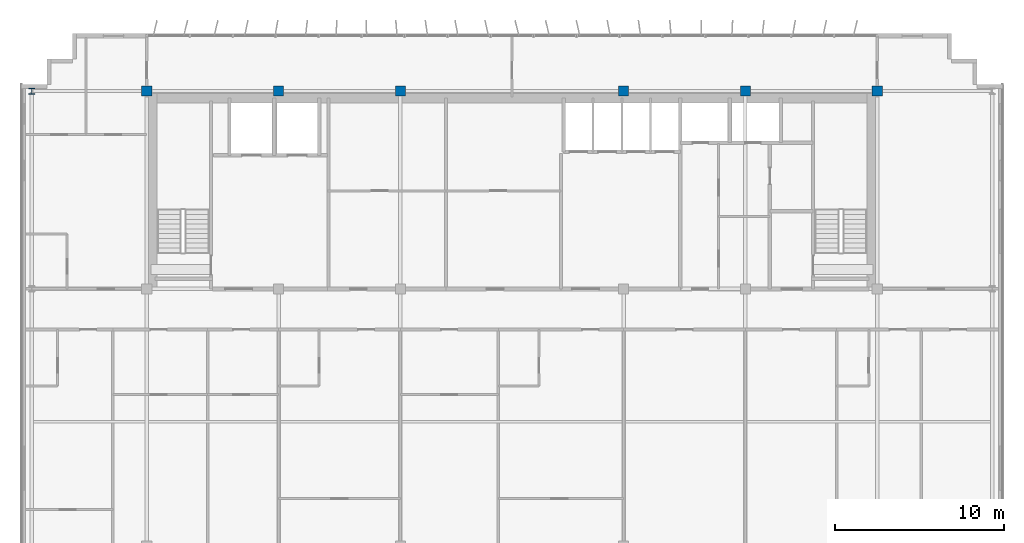
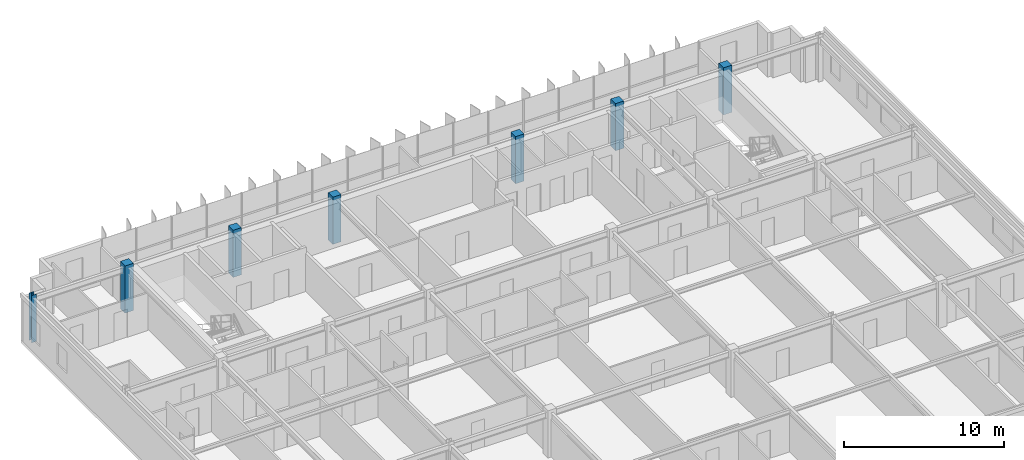
# One storey, part 3 of 23: 7 columns.
"""IFC4 building model written with IfcOpenShell, lengths in metres."""

from ifc_helpers import new_model, si_unit, direction, frame, origin, origin_2d, place, context, subcontext, project, spatial, rectangle, i_section, extrude, source, transform, mapped, material, material_profile, profile_set, type_object, element, save


model = new_model("IFC4")

# Units and contexts
model_context = context("Model", 3, precision=1e-05, world=origin(), true_north=direction((0.0, 1.0)))
body_context = subcontext(model_context, "Body", "Model", "MODEL_VIEW")
ifc_project = project(units=[si_unit("LENGTHUNIT", "METRE"), si_unit("AREAUNIT", "SQUARE_METRE"), si_unit("VOLUMEUNIT", "CUBIC_METRE"), si_unit("PLANEANGLEUNIT", "RADIAN"), si_unit("MASSUNIT", "GRAM", prefix="KILO")], contexts=[model_context])

# Site, building, storey
site_placement = place(None, origin())
site = spatial("IfcSite", under=ifc_project, at=site_placement, CompositionType="ELEMENT")
building_placement = place(site_placement, origin())
building = spatial("IfcBuilding", under=site, at=building_placement, Name="Trelvane Seafront Commons", CompositionType="ELEMENT")
storey_placement = place(building_placement, frame((0.0, 0.0, 263.10009765625)))
storey = spatial("IfcBuildingStorey", under=building, at=storey_placement, Name="L68", CompositionType="ELEMENT", Elevation=263.10009765625)

# Columns
ifc_material_1 = material(Name="Steel SM355 (S355)", Category="steel")
ifc_material_profile_1 = material_profile(ifc_material_1, i_section(OverallWidth=0.35009765625, OverallDepth=0.35009765625, WebThickness=0.01806640625, FlangeThickness=0.028076171875, at=origin_2d()), Name="HD-350x350x18x28")
ifc_profile_set_1 = profile_set([ifc_material_profile_1], Name="Steel SM355 (S355)")
column_type_1 = type_object("IfcColumnType", Name="STR-COL-HD350", PredefinedType="COLUMN", material=ifc_profile_set_1)
shared_shape_1 = source(origin(), body_context, "Body", "SweptSolid", [
    extrude(i_section(OverallWidth=0.35009765625, OverallDepth=0.35009765625, WebThickness=0.01806640625, FlangeThickness=0.028076171875, at=origin_2d()), origin(), (0.0, 0.0, 1.0), 3.599853515625),
])
column_placement = place(storey_placement, frame((8.800048828125, 45.10009765625, 0.0), z_axis=(0.0, 0.0, 1.0), x_axis=(1.0, 0.0, 0.0)))
element("IfcColumn", 1, at=column_placement, inside=storey, type_object=column_type_1, Name="L68 Column TC-CN8.8", PredefinedType="COLUMN", context=body_context, shape_type="MappedRepresentation", body=[
    mapped(shared_shape_1, transform((0.0, 0.0, 0.0), x_axis=(1.0, 0.0, 0.0), y_axis=(0.0, 1.0, 0.0), z_axis=(0.0, 0.0, 1.0), scale=1.0)),
])
ifc_material_2 = material(Name="Concrete C50/60", Category="concrete")
ifc_material_profile_2 = material_profile(ifc_material_2, rectangle(XDim=0.60009765625, YDim=0.60009765625, at=origin_2d()), Name="RC-600x600")
ifc_profile_set_2 = profile_set([ifc_material_profile_2], Name="Concrete C50/60")
column_type_2 = type_object("IfcColumnType", Name="STR-COL-RC600", PredefinedType="COLUMN", material=ifc_profile_set_2)
shared_shape_2 = source(origin(), body_context, "Body", "SweptSolid", [
    extrude(rectangle(XDim=0.60009765625, YDim=0.60009765625, at=origin_2d()), origin(), (0.0, 0.0, 1.0), 3.599853515625),
])
for number, where, z_axis, x_axis, name in (
    (2, (15.60009765625, 45.10009765625, 0.0), (0.0, 0.0, 1.0), (1.0, 0.0, 0.0), "L68 Column TC-CN15.6"),
    (3, (23.39990234375, 45.10009765625, 0.0), (0.0, 0.0, 1.0), (1.0, 0.0, 0.0), "L68 Column TC-CN23.4"),
    (4, (30.60009765625, 45.10009765625, 0.0), (0.0, 0.0, 1.0), (1.0, 0.0, 0.0), "L68 Column TC-CN30.6"),
    (5, (43.800048828125, 45.10009765625, 0.0), (0.0, 0.0, 1.0), (1.0, 0.0, 0.0), "L68 Column TC-CN43.8"),
    (6, (51.0, 45.10009765625, 0.0), (0.0, 0.0, 1.0), (1.0, 0.0, 0.0), "L68 Column TC-CN51.0"),
    (7, (58.800048828125, 45.10009765625, 0.0), (0.0, 0.0, 1.0), (1.0, 0.0, 0.0), "L68 Column TC-CN58.8"),
):
    element("IfcColumn", number, at=place(storey_placement, frame(where, z_axis=z_axis, x_axis=x_axis)), inside=storey, type_object=column_type_2, Name=name, PredefinedType="COLUMN", context=body_context, shape_type="MappedRepresentation", body=[
        mapped(shared_shape_2, transform((0.0, 0.0, 0.0), x_axis=(1.0, 0.0, 0.0), y_axis=(0.0, 1.0, 0.0), z_axis=(0.0, 0.0, 1.0), scale=1.0)),
    ])

save(model, "model.ifc")
